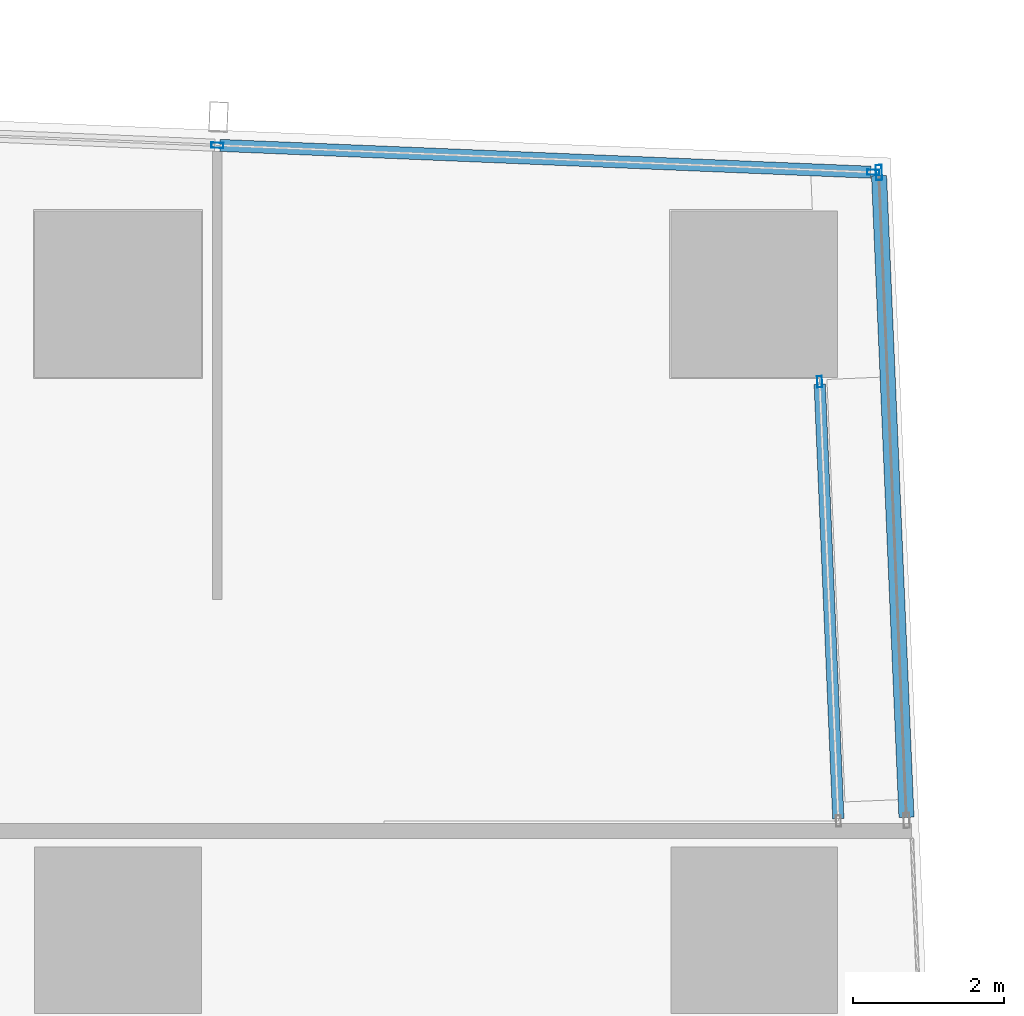
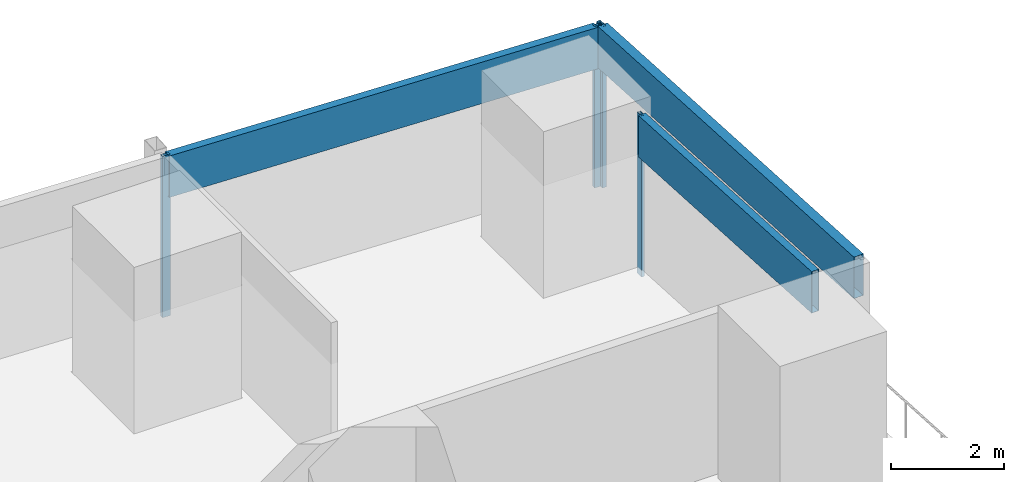
# One storey, part 23 of 42: 7 members, 3 elements without a shape of their own.
"""IFC4 building model written with IfcOpenShell, lengths in metres."""

from ifc_helpers import new_model, si_unit, direction, frame, origin, origin_2d, place, context, subcontext, project, spatial, hollow_rectangle, extrude, material, material_profile, profile_set, type_object, element, aggregate, save


model = new_model("IFC4")

# Units and contexts
model_context = context("Model", 3, precision=1e-05, world=origin(), true_north=direction((0.0, 1.0)))
body_context = subcontext(model_context, "Body", "Model", "MODEL_VIEW")
ifc_project = project(units=[si_unit("LENGTHUNIT", "METRE"), si_unit("AREAUNIT", "SQUARE_METRE"), si_unit("VOLUMEUNIT", "CUBIC_METRE"), si_unit("PLANEANGLEUNIT", "RADIAN"), si_unit("MASSUNIT", "GRAM", prefix="KILO")], contexts=[model_context])

# Site, building, storey
site_placement = place(None, origin())
site = spatial("IfcSite", under=ifc_project, at=site_placement, CompositionType="ELEMENT")
building_placement = place(site_placement, origin())
building = spatial("IfcBuilding", under=site, at=building_placement, Name="Rekha Terrace Tower", CompositionType="ELEMENT")
storey_placement = place(building_placement, frame((0.0, 0.0, 70.39990234375)))
storey = spatial("IfcBuildingStorey", under=building, at=storey_placement, Name="L17", CompositionType="ELEMENT", Elevation=70.39990234375)

# Curtain wall, members
ifc_material_1 = material(Name="Aluminium framing", Category="aluminium")
curtain_wall_type_1 = type_object("IfcCurtainWallType", Name="CW1 double skin inner glazing", PredefinedType="USERDEFINED", material=ifc_material_1)
curtain_wall_1_placement = place(storey_placement, origin())
curtain_wall_1 = element("IfcCurtainWall", 1, at=curtain_wall_1_placement, inside=storey, type_object=curtain_wall_type_1, Name="CW1 double skin inner glazing", ObjectType="DOUBLE SKIN INNER GLAZING", PredefinedType="USERDEFINED")
ifc_material_2 = material(Name="Aluminium mullion section", Category="aluminium")
ifc_material_profile_1 = material_profile(ifc_material_2, hollow_rectangle(XDim=0.06494140625, YDim=0.14990234375, WallThickness=0.00390625, at=origin_2d()), Name="AL RHS 65x150")
ifc_profile_set_1 = profile_set([ifc_material_profile_1], Name="Aluminium mullion section")
member_type_1 = type_object("IfcMemberType", Name="CW1 mullion RHS 65 x 150", PredefinedType="MULLION", material=ifc_profile_set_1)
member_1_placement = place(storey_placement, frame((68.0654296875, 57.6435546875, 0.0), z_axis=(0.0, 0.0, 1.0), x_axis=(-0.9990881069, -0.042696073026, 0.0)))
member_1 = element("IfcMember", 2, at=member_1_placement, type_object=member_type_1, Name="CW1 mullion 2", PredefinedType="MULLION", context=body_context, shape_type="SweptSolid", body=[
    extrude(hollow_rectangle(XDim=0.06494140625, YDim=0.14990234375, WallThickness=0.00390625, at=origin_2d()), origin(), (0.0, 0.0, 1.0), 3.5),
])
ifc_material_3 = material(Name="Insulated aluminium spandrel box", Category="aluminium")
ifc_material_profile_2 = material_profile(ifc_material_3, hollow_rectangle(XDim=0.14990234375, YDim=0.89990234375, WallThickness=0.0029296875, at=origin_2d()), Name="AL SPANDREL BOX 150x900")
ifc_profile_set_2 = profile_set([ifc_material_profile_2], Name="Insulated aluminium spandrel box")
member_type_2 = type_object("IfcMemberType", Name="CW1 spandrel transom 150 x 900", PredefinedType="USERDEFINED", material=ifc_profile_set_2)
member_2_placement = place(storey_placement, frame((68.31201171875, 51.875, 3.050048828125), z_axis=(-0.04273597926, 0.999086400707, 0.0), x_axis=(-0.999086400707, -0.04273597926, 0.0)))
member_2 = element("IfcMember", 3, at=member_2_placement, type_object=member_type_2, Name="CW1 spandrel transom 1", ObjectType="TRANSOM", PredefinedType="USERDEFINED", context=body_context, shape_type="SweptSolid", body=[
    extrude(hollow_rectangle(XDim=0.14990234375, YDim=0.89990234375, WallThickness=0.0029296875, at=origin_2d()), origin(), (0.0, 0.0, 1.0), 5.7412109375),
])
aggregate(curtain_wall_1, [member_1, member_2])

curtain_wall_type_2 = type_object("IfcCurtainWallType", Name="CW2 double skin outer glazing", PredefinedType="USERDEFINED", material=ifc_material_1)
curtain_wall_2_placement = place(storey_placement, origin())
curtain_wall_2 = element("IfcCurtainWall", 4, at=curtain_wall_2_placement, inside=storey, type_object=curtain_wall_type_2, Name="CW2 double skin outer glazing", ObjectType="DOUBLE SKIN OUTER GLAZING", PredefinedType="USERDEFINED")
ifc_material_profile_3 = material_profile(ifc_material_2, hollow_rectangle(XDim=0.080078125, YDim=0.199951171875, WallThickness=0.00390625, at=origin_2d()), Name="AL RHS 80x200")
ifc_profile_set_3 = profile_set([ifc_material_profile_3], Name="Aluminium mullion section")
member_type_3 = type_object("IfcMemberType", Name="CW2 mullion RHS 80 x 200", PredefinedType="MULLION", material=ifc_profile_set_3)
member_3_placement = place(storey_placement, frame((68.84814453125, 60.40625, 0.0), z_axis=(0.0, 0.0, 1.0), x_axis=(-0.999088106903, -0.042696072956, 0.0)))
member_3 = element("IfcMember", 5, at=member_3_placement, type_object=member_type_3, Name="CW2 mullion 2", PredefinedType="MULLION", context=body_context, shape_type="SweptSolid", body=[
    extrude(hollow_rectangle(XDim=0.080078125, YDim=0.199951171875, WallThickness=0.00390625, at=origin_2d()), origin(), (0.0, 0.0, 1.0), 3.5),
])
ifc_material_profile_4 = material_profile(ifc_material_3, hollow_rectangle(XDim=0.199951171875, YDim=0.89990234375, WallThickness=0.0029296875, at=origin_2d()), Name="AL SPANDREL BOX 200x900")
ifc_profile_set_4 = profile_set([ifc_material_profile_4], Name="Insulated aluminium spandrel box")
member_type_4 = type_object("IfcMemberType", Name="CW2 spandrel transom 200 x 900", PredefinedType="USERDEFINED", material=ifc_profile_set_4)
member_4_placement = place(storey_placement, frame((69.212158203125, 51.889892578125, 3.050048828125), z_axis=(-0.042704174567, 0.999087760647, 0.0), x_axis=(-0.999087760647, -0.042704174567, 0.0)))
member_4 = element("IfcMember", 6, at=member_4_placement, type_object=member_type_4, Name="CW2 spandrel transom 1", ObjectType="TRANSOM", PredefinedType="USERDEFINED", context=body_context, shape_type="SweptSolid", body=[
    extrude(hollow_rectangle(XDim=0.199951171875, YDim=0.89990234375, WallThickness=0.0029296875, at=origin_2d()), origin(), (0.0, 0.0, 1.0), 8.484130859375),
])
aggregate(curtain_wall_2, [member_3, member_4])

curtain_wall_type_3 = type_object("IfcCurtainWallType", Name="CW3 north unitised glazing", PredefinedType="USERDEFINED", material=ifc_material_1)
curtain_wall_3_placement = place(storey_placement, origin())
curtain_wall_3 = element("IfcCurtainWall", 7, at=curtain_wall_3_placement, inside=storey, type_object=curtain_wall_type_3, Name="CW3 unitised curtain wall", ObjectType="UNITISED CURTAIN WALL", PredefinedType="USERDEFINED")
ifc_material_profile_5 = material_profile(ifc_material_2, hollow_rectangle(XDim=0.070068359375, YDim=0.159912109375, WallThickness=0.00390625, at=origin_2d()), Name="AL RHS 70x160")
ifc_profile_set_5 = profile_set([ifc_material_profile_5], Name="Aluminium mullion section")
member_type_5 = type_object("IfcMemberType", Name="CW3 mullion RHS 70 x 160", PredefinedType="MULLION", material=ifc_profile_set_5)
member_5_placement = place(storey_placement, frame((68.77294921875, 60.4091796875, 0.0), z_axis=(0.0, 0.0, 1.0), x_axis=(-0.041173846041, -0.999151997647, 0.0)))
member_5 = element("IfcMember", 8, at=member_5_placement, type_object=member_type_5, Name="CW3 mullion 1", PredefinedType="MULLION", context=body_context, shape_type="SweptSolid", body=[
    extrude(hollow_rectangle(XDim=0.070068359375, YDim=0.159912109375, WallThickness=0.00390625, at=origin_2d()), origin(), (0.0, 0.0, 1.0), 3.5),
])
member_6_placement = place(storey_placement, frame((60.111572265625, 60.76611328125, 0.0), z_axis=(0.0, 0.0, 1.0), x_axis=(-0.041173846041, -0.999151997647, 0.0)))
member_6 = element("IfcMember", 9, at=member_6_placement, type_object=member_type_5, Name="CW3 mullion 2", PredefinedType="MULLION", context=body_context, shape_type="SweptSolid", body=[
    extrude(hollow_rectangle(XDim=0.070068359375, YDim=0.159912109375, WallThickness=0.00390625, at=origin_2d()), origin(), (0.0, 0.0, 1.0), 3.5),
])
ifc_material_profile_6 = material_profile(ifc_material_3, hollow_rectangle(XDim=0.159912109375, YDim=0.89990234375, WallThickness=0.0029296875, at=origin_2d()), Name="AL SPANDREL BOX 160x900")
ifc_profile_set_6 = profile_set([ifc_material_profile_6], Name="Insulated aluminium spandrel box")
member_type_6 = type_object("IfcMemberType", Name="CW3 spandrel transom 160 x 900", PredefinedType="USERDEFINED", material=ifc_profile_set_6)
member_7_placement = place(storey_placement, frame((68.738037109375, 60.41064453125, 3.050048828125), z_axis=(-0.99915220621, 0.041168784604, 0.0), x_axis=(-0.041168784604, -0.99915220621, 0.0)))
member_7 = element("IfcMember", 10, at=member_7_placement, type_object=member_type_6, Name="CW3 spandrel transom 1", ObjectType="TRANSOM", PredefinedType="USERDEFINED", context=body_context, shape_type="SweptSolid", body=[
    extrude(hollow_rectangle(XDim=0.159912109375, YDim=0.89990234375, WallThickness=0.0029296875, at=origin_2d()), origin(), (0.0, 0.0, 1.0), 8.598876953125),
])
aggregate(curtain_wall_3, [member_5, member_6, member_7])

save(model, "model.ifc")
